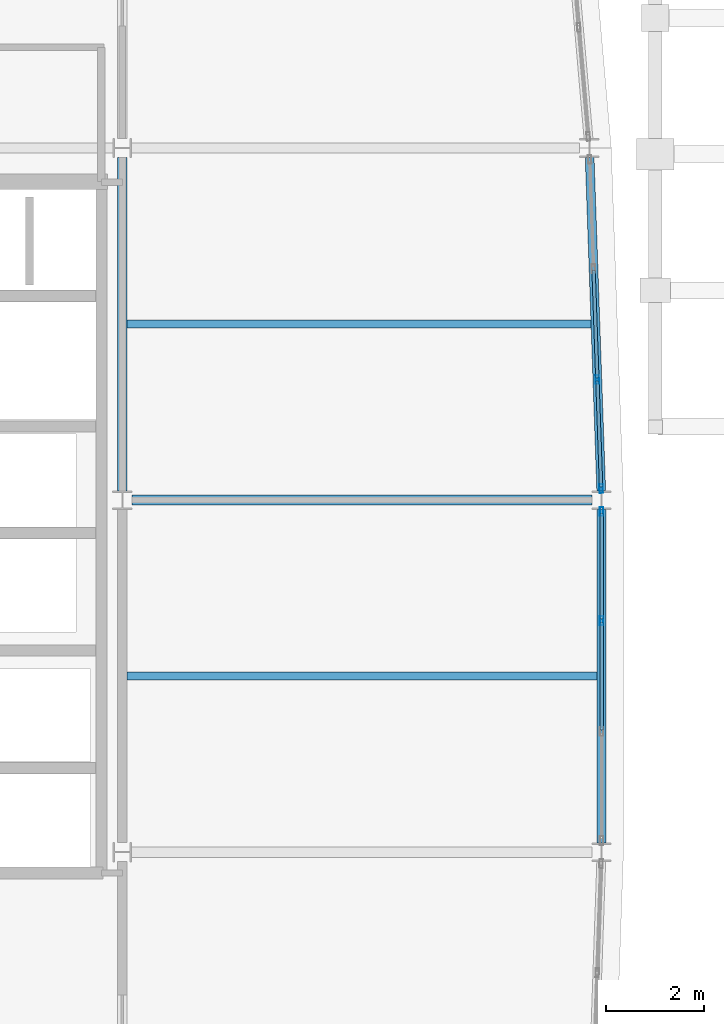
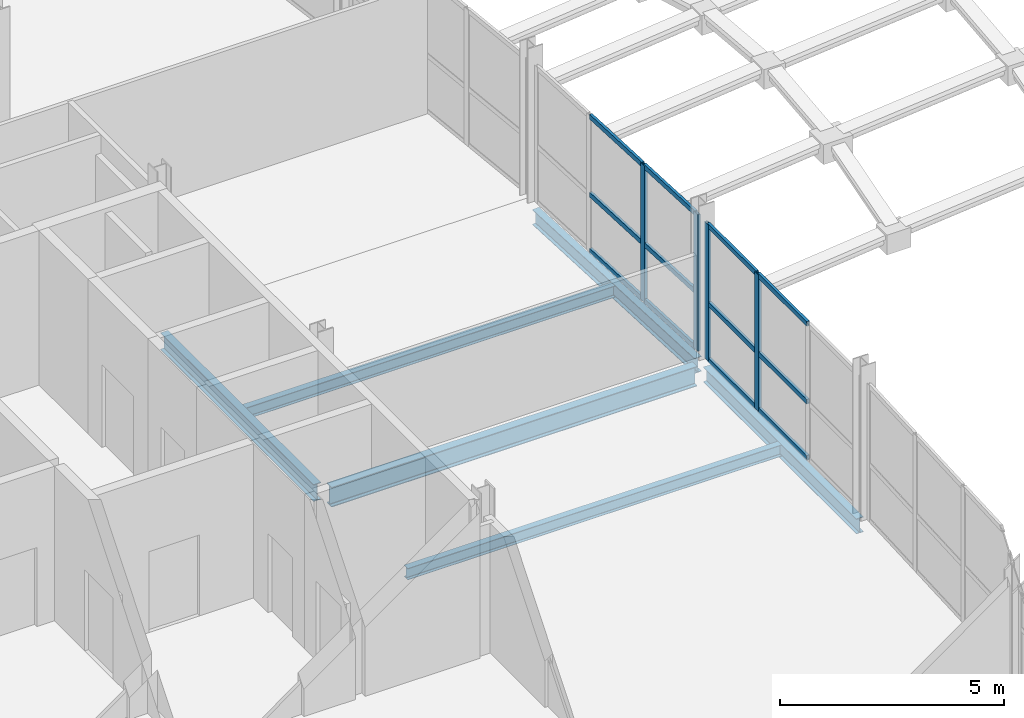
# One storey, part 10 of 36: 16 members, 6 beams, 2 elements without a shape of their own.
"""IFC4 building model written with IfcOpenShell, lengths in metres."""

from ifc_helpers import new_model, si_unit, direction, frame, origin, origin_2d, place, context, subcontext, project, spatial, hollow_rectangle, i_section, extrude, material, layer, layer_set, material_profile, profile_set, type_object, element, aggregate, save


model = new_model("IFC4")

# Units and contexts
model_context = context("Model", 3, precision=1e-05, world=origin(), true_north=direction((0.0, 1.0)))
body_context = subcontext(model_context, "Body", "Model", "MODEL_VIEW")
ifc_project = project(units=[si_unit("LENGTHUNIT", "METRE"), si_unit("AREAUNIT", "SQUARE_METRE"), si_unit("VOLUMEUNIT", "CUBIC_METRE"), si_unit("PLANEANGLEUNIT", "RADIAN"), si_unit("MASSUNIT", "GRAM", prefix="KILO")], contexts=[model_context])

# Site, building, storey
site_placement = place(None, origin())
site = spatial("IfcSite", under=ifc_project, at=site_placement, CompositionType="ELEMENT")
building_placement = place(site_placement, origin())
building = spatial("IfcBuilding", under=site, at=building_placement, Name="Quillay Park Conservatory", CompositionType="ELEMENT")
storey_placement = place(building_placement, frame((0.0, 0.0, 18.300048828125)))
storey = spatial("IfcBuildingStorey", under=building, at=storey_placement, Name="L04", CompositionType="ELEMENT", Elevation=18.300048828125)

# Beams
ifc_material_1 = material(Name="Steel ASTM A992 Grade 50", Category="steel")
ifc_material_profile_1 = material_profile(ifc_material_1, i_section(OverallWidth=0.166015625, OverallDepth=0.31298828125, WebThickness=0.006591796875, FlangeThickness=0.01123046875, FilletRadius=0.010009765625, at=origin_2d()), Name="W310x45")
ifc_profile_set_1 = profile_set([ifc_material_profile_1], Name="Steel ASTM A992 Grade 50")
beam_type_1 = type_object("IfcBeamType", Name="COMPOSITE FLOOR JOIST W310 X45", PredefinedType="JOIST", material=ifc_profile_set_1)
beam_1_placement = place(storey_placement, frame((19.845947265625, 88.800048828125, -0.3564453125), z_axis=(1.0, 0.0, 0.0), x_axis=(0.0, 1.0, 0.0)))
element("IfcBeam", 1, at=beam_1_placement, inside=storey, type_object=beam_type_1, Name="L04 beam BM-J-0359", PredefinedType="JOIST", context=body_context, shape_type="SweptSolid", body=[
    extrude(i_section(OverallWidth=0.166015625, OverallDepth=0.31298828125, WebThickness=0.006591796875, FlangeThickness=0.01123046875, FilletRadius=0.010009765625, at=origin_2d()), origin(), (0.0, 0.0, 1.0), 9.614013671875),
])
beam_2_placement = place(storey_placement, frame((19.845947265625, 96.0, -0.3564453125), z_axis=(1.0, 0.0, 0.0), x_axis=(0.0, 1.0, 0.0)))
element("IfcBeam", 2, at=beam_2_placement, inside=storey, type_object=beam_type_1, Name="L04 beam BM-J-0365", PredefinedType="JOIST", context=body_context, shape_type="SweptSolid", body=[
    extrude(i_section(OverallWidth=0.166015625, OverallDepth=0.31298828125, WebThickness=0.006591796875, FlangeThickness=0.01123046875, FilletRadius=0.010009765625, at=origin_2d()), origin(), (0.0, 0.0, 1.0), 9.489013671875),
])

# Curtain wall, members
ifc_material_2 = material(Name="Thermally Broken Anodised Aluminium 6063-T6", Category="aluminium")
ifc_layer = layer(ifc_material_2, 0.179931640625)
ifc_layer_set = layer_set([ifc_layer], Name="UNITISED CURTAIN WALL TOWER (Thermally Broken Anodised Aluminium 6063-T6)")
curtain_wall_type = type_object("IfcCurtainWallType", Name="UNITISED CURTAIN WALL TOWER", PredefinedType="USERDEFINED", material=ifc_layer_set)
curtain_wall_1_placement = place(storey_placement, origin())
curtain_wall_1 = element("IfcCurtainWall", 3, at=curtain_wall_1_placement, inside=storey, type_object=curtain_wall_type, Name="L04 Unitised Curtain Wall 041", ObjectType="UNITISED CURTAIN WALL", PredefinedType="USERDEFINED")
ifc_material_3 = material(Name="Thermally Broken Anodised Aluminium 6063-T6", Category="aluminium")
ifc_material_profile_2 = material_profile(ifc_material_3, hollow_rectangle(XDim=0.070068359375, YDim=0.179931640625, WallThickness=0.00390625, at=origin_2d()), Name="AL70x180x4")
ifc_profile_set_2 = profile_set([ifc_material_profile_2], Name="Thermally Broken Anodised Aluminium 6063-T6")
member_type_1 = type_object("IfcMemberType", Name="CURTAIN WALL MULLION 70 X180", PredefinedType="MULLION", material=ifc_profile_set_2)
member_1_placement = place(storey_placement, frame((29.550048828125, 92.1650390625, 0.0), z_axis=(0.0, 0.0, 1.0), x_axis=(1.0, 0.0, 0.0)))
member_1 = element("IfcMember", 4, at=member_1_placement, type_object=member_type_1, Name="CW-T1 mullion 1", PredefinedType="MULLION", context=body_context, shape_type="SweptSolid", body=[
    extrude(hollow_rectangle(XDim=0.070068359375, YDim=0.179931640625, WallThickness=0.00390625, at=origin_2d()), origin(), (0.0, 0.0, 1.0), 3.7119140625),
])
member_2_placement = place(storey_placement, frame((29.550048828125, 89.933349609375, 0.0), z_axis=(0.0, 0.0, 1.0), x_axis=(1.0, 0.0, 0.0)))
member_2 = element("IfcMember", 5, at=member_2_placement, type_object=member_type_1, Name="CW-T1 mullion 2", PredefinedType="MULLION", context=body_context, shape_type="SweptSolid", body=[
    extrude(hollow_rectangle(XDim=0.070068359375, YDim=0.179931640625, WallThickness=0.00390625, at=origin_2d()), origin(), (0.0, 0.0, 1.0), 3.7119140625),
])

curtain_wall_2_placement = place(storey_placement, origin())
curtain_wall_2 = element("IfcCurtainWall", 6, at=curtain_wall_2_placement, inside=storey, type_object=curtain_wall_type, Name="L04 Unitised Curtain Wall 042", ObjectType="UNITISED CURTAIN WALL", PredefinedType="USERDEFINED")
member_3_placement = place(storey_placement, frame((29.46435546875, 94.86669921875, 0.0), z_axis=(0.0, 0.0, 1.0), x_axis=(0.999397310446, 0.034713338537, 0.0)))
member_3 = element("IfcMember", 7, at=member_3_placement, type_object=member_type_1, Name="CW-T1 mullion 3", PredefinedType="MULLION", context=body_context, shape_type="SweptSolid", body=[
    extrude(hollow_rectangle(XDim=0.070068359375, YDim=0.179931640625, WallThickness=0.00390625, at=origin_2d()), origin(), (0.0, 0.0, 1.0), 3.7119140625),
])
member_4_placement = place(storey_placement, frame((29.5419921875, 92.634765625, 0.0), z_axis=(0.0, 0.0, 1.0), x_axis=(0.999397310446, 0.034713338537, 0.0)))
member_4 = element("IfcMember", 8, at=member_4_placement, type_object=member_type_1, Name="CW-T1 mullion 4", PredefinedType="MULLION", context=body_context, shape_type="SweptSolid", body=[
    extrude(hollow_rectangle(XDim=0.070068359375, YDim=0.179931640625, WallThickness=0.00390625, at=origin_2d()), origin(), (0.0, 0.0, 1.0), 3.7119140625),
])

# Member
ifc_material_4 = material(Name="Thermally Broken Anodised Aluminium 6063-T6", Category="aluminium")
ifc_material_profile_3 = material_profile(ifc_material_4, hollow_rectangle(XDim=0.070068359375, YDim=0.1298828125, WallThickness=0.003173828125, at=origin_2d()), Name="AL70x130x3.2")
ifc_profile_set_3 = profile_set([ifc_material_profile_3], Name="Thermally Broken Anodised Aluminium 6063-T6")
member_type_2 = type_object("IfcMemberType", Name="CURTAIN WALL TRANSOM 70 X130", PredefinedType="USERDEFINED", material=ifc_profile_set_3)
member_5_placement = place(storey_placement, frame((29.550048828125, 92.1298828125, 0.034912109375), z_axis=(0.0, -1.0, 0.0), x_axis=(1.0, 0.0, 0.0)))
member_5 = element("IfcMember", 9, at=member_5_placement, type_object=member_type_2, Name="CW-T1 transom 1.1", ObjectType="TRANSOM", PredefinedType="USERDEFINED", context=body_context, shape_type="SweptSolid", body=[
    extrude(hollow_rectangle(XDim=0.070068359375, YDim=0.1298828125, WallThickness=0.003173828125, at=origin_2d()), origin(), (0.0, 0.0, 1.0), 2.16162109375),
])

member_6_placement = place(storey_placement, frame((29.550048828125, 92.1298828125, 1.558837890625), z_axis=(0.0, -1.0, 0.0), x_axis=(1.0, 0.0, 0.0)))
member_6 = element("IfcMember", 10, at=member_6_placement, type_object=member_type_2, Name="CW-T1 transom 1.2", ObjectType="TRANSOM", PredefinedType="USERDEFINED", context=body_context, shape_type="SweptSolid", body=[
    extrude(hollow_rectangle(XDim=0.070068359375, YDim=0.1298828125, WallThickness=0.003173828125, at=origin_2d()), origin(), (0.0, 0.0, 1.0), 2.16162109375),
])

member_7_placement = place(storey_placement, frame((29.550048828125, 92.1298828125, 3.677001953125), z_axis=(0.0, -1.0, 0.0), x_axis=(1.0, 0.0, 0.0)))
member_7 = element("IfcMember", 11, at=member_7_placement, type_object=member_type_2, Name="CW-T1 transom 1.3", ObjectType="TRANSOM", PredefinedType="USERDEFINED", context=body_context, shape_type="SweptSolid", body=[
    extrude(hollow_rectangle(XDim=0.070068359375, YDim=0.1298828125, WallThickness=0.003173828125, at=origin_2d()), origin(), (0.0, 0.0, 1.0), 2.16162109375),
])

member_8_placement = place(storey_placement, frame((29.550048828125, 89.8984375, 0.034912109375), z_axis=(0.0, -1.0, 0.0), x_axis=(1.0, 0.0, 0.0)))
member_8 = element("IfcMember", 12, at=member_8_placement, type_object=member_type_2, Name="CW-T1 transom 2.1", ObjectType="TRANSOM", PredefinedType="USERDEFINED", context=body_context, shape_type="SweptSolid", body=[
    extrude(hollow_rectangle(XDim=0.070068359375, YDim=0.1298828125, WallThickness=0.003173828125, at=origin_2d()), origin(), (0.0, 0.0, 1.0), 2.19677734375),
])

member_9_placement = place(storey_placement, frame((29.550048828125, 89.8984375, 1.558837890625), z_axis=(0.0, -1.0, 0.0), x_axis=(1.0, 0.0, 0.0)))
member_9 = element("IfcMember", 13, at=member_9_placement, type_object=member_type_2, Name="CW-T1 transom 2.2", ObjectType="TRANSOM", PredefinedType="USERDEFINED", context=body_context, shape_type="SweptSolid", body=[
    extrude(hollow_rectangle(XDim=0.070068359375, YDim=0.1298828125, WallThickness=0.003173828125, at=origin_2d()), origin(), (0.0, 0.0, 1.0), 2.19677734375),
])

member_10_placement = place(storey_placement, frame((29.550048828125, 89.8984375, 3.677001953125), z_axis=(0.0, -1.0, 0.0), x_axis=(1.0, 0.0, 0.0)))
member_10 = element("IfcMember", 14, at=member_10_placement, type_object=member_type_2, Name="CW-T1 transom 2.3", ObjectType="TRANSOM", PredefinedType="USERDEFINED", context=body_context, shape_type="SweptSolid", body=[
    extrude(hollow_rectangle(XDim=0.070068359375, YDim=0.1298828125, WallThickness=0.003173828125, at=origin_2d()), origin(), (0.0, 0.0, 1.0), 2.19677734375),
])

aggregate(curtain_wall_1, [member_1, member_2, member_5, member_6, member_7, member_8, member_9, member_10])

member_11_placement = place(storey_placement, frame((29.386962890625, 97.098388671875, 0.034912109375), z_axis=(0.034653546152, -0.999399385501, 0.0), x_axis=(0.999399385501, 0.034653546152, 0.0)))
member_11 = element("IfcMember", 15, at=member_11_placement, type_object=member_type_2, Name="CW-T1 transom 2.1", ObjectType="TRANSOM", PredefinedType="USERDEFINED", context=body_context, shape_type="SweptSolid", body=[
    extrude(hollow_rectangle(XDim=0.070068359375, YDim=0.1298828125, WallThickness=0.003173828125, at=origin_2d()), origin(), (0.0, 0.0, 1.0), 2.197998046875),
])

member_12_placement = place(storey_placement, frame((29.386962890625, 97.098388671875, 1.558837890625), z_axis=(0.034653546152, -0.999399385501, 0.0), x_axis=(0.999399385501, 0.034653546152, 0.0)))
member_12 = element("IfcMember", 16, at=member_12_placement, type_object=member_type_2, Name="CW-T1 transom 2.2", ObjectType="TRANSOM", PredefinedType="USERDEFINED", context=body_context, shape_type="SweptSolid", body=[
    extrude(hollow_rectangle(XDim=0.070068359375, YDim=0.1298828125, WallThickness=0.003173828125, at=origin_2d()), origin(), (0.0, 0.0, 1.0), 2.197998046875),
])

member_13_placement = place(storey_placement, frame((29.386962890625, 97.098388671875, 3.677001953125), z_axis=(0.034653546152, -0.999399385501, 0.0), x_axis=(0.999399385501, 0.034653546152, 0.0)))
member_13 = element("IfcMember", 17, at=member_13_placement, type_object=member_type_2, Name="CW-T1 transom 2.3", ObjectType="TRANSOM", PredefinedType="USERDEFINED", context=body_context, shape_type="SweptSolid", body=[
    extrude(hollow_rectangle(XDim=0.070068359375, YDim=0.1298828125, WallThickness=0.003173828125, at=origin_2d()), origin(), (0.0, 0.0, 1.0), 2.197998046875),
])

member_14_placement = place(storey_placement, frame((29.465576171875, 94.83154296875, 0.034912109375), z_axis=(0.034765508592, -0.999395496994, 0.0), x_axis=(0.999395496994, 0.034765508592, 0.0)))
member_14 = element("IfcMember", 18, at=member_14_placement, type_object=member_type_2, Name="CW-T1 transom 3.1", ObjectType="TRANSOM", PredefinedType="USERDEFINED", context=body_context, shape_type="SweptSolid", body=[
    extrude(hollow_rectangle(XDim=0.070068359375, YDim=0.1298828125, WallThickness=0.003173828125, at=origin_2d()), origin(), (0.0, 0.0, 1.0), 2.162841796875),
])

member_15_placement = place(storey_placement, frame((29.465576171875, 94.83154296875, 1.558837890625), z_axis=(0.034765508592, -0.999395496994, 0.0), x_axis=(0.999395496994, 0.034765508592, 0.0)))
member_15 = element("IfcMember", 19, at=member_15_placement, type_object=member_type_2, Name="CW-T1 transom 3.2", ObjectType="TRANSOM", PredefinedType="USERDEFINED", context=body_context, shape_type="SweptSolid", body=[
    extrude(hollow_rectangle(XDim=0.070068359375, YDim=0.1298828125, WallThickness=0.003173828125, at=origin_2d()), origin(), (0.0, 0.0, 1.0), 2.162841796875),
])

member_16_placement = place(storey_placement, frame((29.465576171875, 94.83154296875, 3.677001953125), z_axis=(0.034765508592, -0.999395496994, 0.0), x_axis=(0.999395496994, 0.034765508592, 0.0)))
member_16 = element("IfcMember", 20, at=member_16_placement, type_object=member_type_2, Name="CW-T1 transom 3.3", ObjectType="TRANSOM", PredefinedType="USERDEFINED", context=body_context, shape_type="SweptSolid", body=[
    extrude(hollow_rectangle(XDim=0.070068359375, YDim=0.1298828125, WallThickness=0.003173828125, at=origin_2d()), origin(), (0.0, 0.0, 1.0), 2.162841796875),
])

aggregate(curtain_wall_2, [member_3, member_4, member_11, member_12, member_13, member_14, member_15, member_16])

# Beams
ifc_material_5 = material(Name="Steel ASTM A992 Grade 50", Category="steel")
ifc_material_profile_4 = material_profile(ifc_material_5, i_section(OverallWidth=0.179931640625, OverallDepth=0.4130859375, WebThickness=0.009765625, FlangeThickness=0.01611328125, FilletRadius=0.011962890625, at=origin_2d()), Name="W410x74")
ifc_profile_set_4 = profile_set([ifc_material_profile_4], Name="Steel ASTM A992 Grade 50")
beam_type_2 = type_object("IfcBeamType", Name="PERIMETER SPANDREL BEAM W410 X74", PredefinedType="SPANDREL", material=ifc_profile_set_4)
beam_3_placement = place(storey_placement, frame((29.550048828125, 85.389892578125, -0.406494140625), z_axis=(0.0, 1.0, 0.0), x_axis=(-1.0, 0.0, 0.0)))
element("IfcBeam", 21, at=beam_3_placement, inside=storey, type_object=beam_type_2, Name="L04 beam BM-SPE-0355", PredefinedType="SPANDREL", context=body_context, shape_type="SweptSolid", body=[
    extrude(i_section(OverallWidth=0.179931640625, OverallDepth=0.4130859375, WebThickness=0.009765625, FlangeThickness=0.01611328125, FilletRadius=0.011962890625, at=origin_2d()), origin(), (0.0, 0.0, 1.0), 6.820068359375),
])
beam_4_placement = place(storey_placement, frame((29.54345703125, 92.58984375, -0.406494140625), z_axis=(-0.034701310006, 0.999397728176, 0.0), x_axis=(-0.999397728176, -0.034701310006, 0.0)))
element("IfcBeam", 22, at=beam_4_placement, inside=storey, type_object=beam_type_2, Name="L04 beam BM-SPE-0361", PredefinedType="SPANDREL", context=body_context, shape_type="SweptSolid", body=[
    extrude(i_section(OverallWidth=0.179931640625, OverallDepth=0.4130859375, WebThickness=0.009765625, FlangeThickness=0.01611328125, FilletRadius=0.011962890625, at=origin_2d()), origin(), (0.0, 0.0, 1.0), 6.824462890625),
])
ifc_material_6 = material(Name="Steel ASTM A992 Grade 50", Category="steel")
ifc_material_profile_5 = material_profile(ifc_material_6, i_section(OverallWidth=0.19189453125, OverallDepth=0.462890625, WebThickness=0.010498046875, FlangeThickness=0.017578125, FilletRadius=0.012939453125, at=origin_2d()), Name="W460x89")
ifc_profile_set_5 = profile_set([ifc_material_profile_5], Name="Steel ASTM A992 Grade 50")
beam_type_3 = type_object("IfcBeamType", Name="PRIMARY FLOOR GIRDER W460 X89", PredefinedType="BEAM", material=ifc_profile_set_5)
beam_5_placement = place(storey_placement, frame((19.75, 92.590087890625, -0.431640625), z_axis=(0.0, 1.0, 0.0), x_axis=(-1.0, 0.0, 0.0)))
element("IfcBeam", 23, at=beam_5_placement, inside=storey, type_object=beam_type_3, Name="L04 beam BM-GNS-0363", PredefinedType="BEAM", context=body_context, shape_type="SweptSolid", body=[
    extrude(i_section(OverallWidth=0.19189453125, OverallDepth=0.462890625, WebThickness=0.010498046875, FlangeThickness=0.017578125, FilletRadius=0.012939453125, at=origin_2d()), origin(), (0.0, 0.0, 1.0), 6.8125),
])
ifc_material_7 = material(Name="Steel ASTM A992 Grade 50", Category="steel")
ifc_material_profile_6 = material_profile(ifc_material_7, i_section(OverallWidth=0.2109375, OverallDepth=0.5390625, WebThickness=0.01171875, FlangeThickness=0.018798828125, FilletRadius=0.013916015625, at=origin_2d()), Name="W530x109")
ifc_profile_set_6 = profile_set([ifc_material_profile_6], Name="Steel ASTM A992 Grade 50")
beam_type_4 = type_object("IfcBeamType", Name="PRIMARY FLOOR GIRDER W530 X109", PredefinedType="BEAM", material=ifc_profile_set_6)
beam_6_placement = place(storey_placement, frame((19.947509765625, 92.39990234375, -0.469482421875), z_axis=(1.0, 0.0, 0.0), x_axis=(0.0, 1.0, 0.0)))
element("IfcBeam", 24, at=beam_6_placement, inside=storey, type_object=beam_type_4, Name="L04 beam BM-G-0324", PredefinedType="BEAM", context=body_context, shape_type="SweptSolid", body=[
    extrude(i_section(OverallWidth=0.2109375, OverallDepth=0.5390625, WebThickness=0.01171875, FlangeThickness=0.018798828125, FilletRadius=0.013916015625, at=origin_2d()), origin(), (0.0, 0.0, 1.0), 9.405029296875),
])

save(model, "model.ifc")
